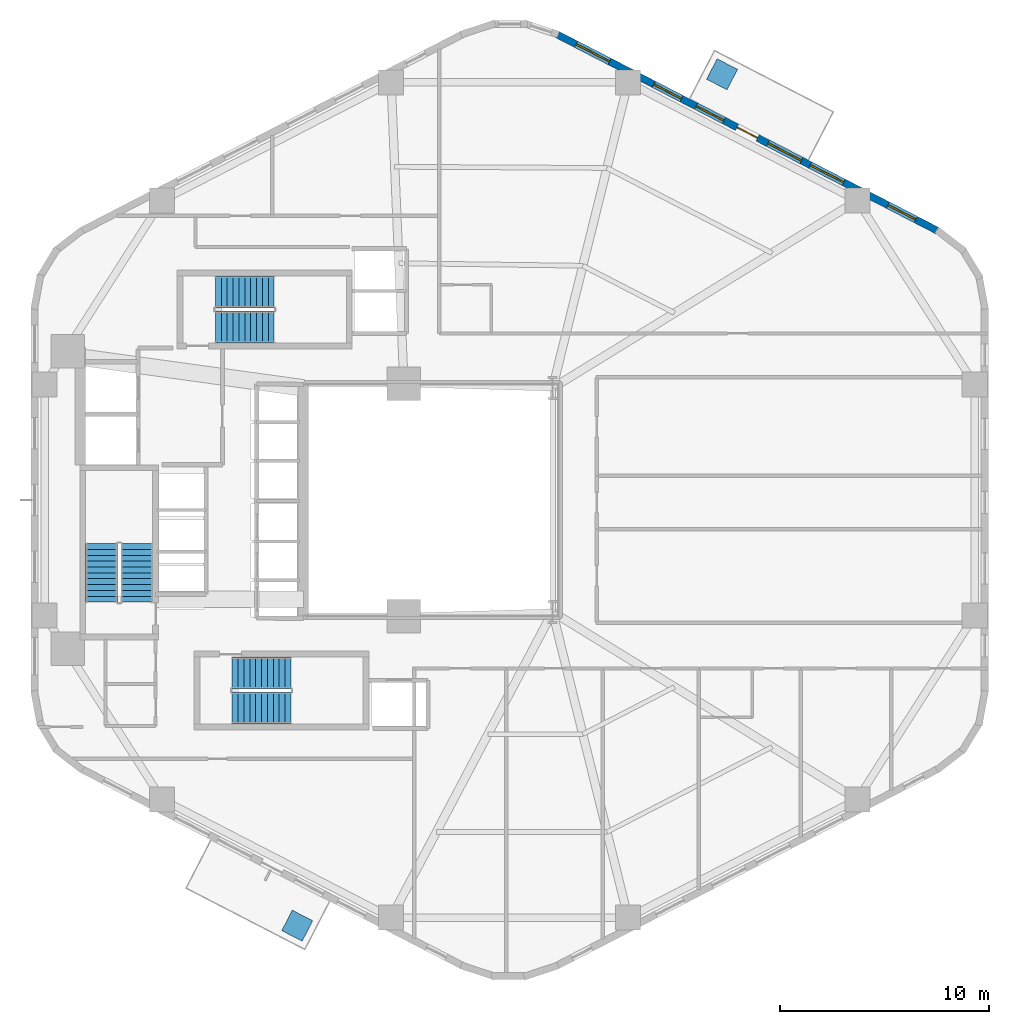
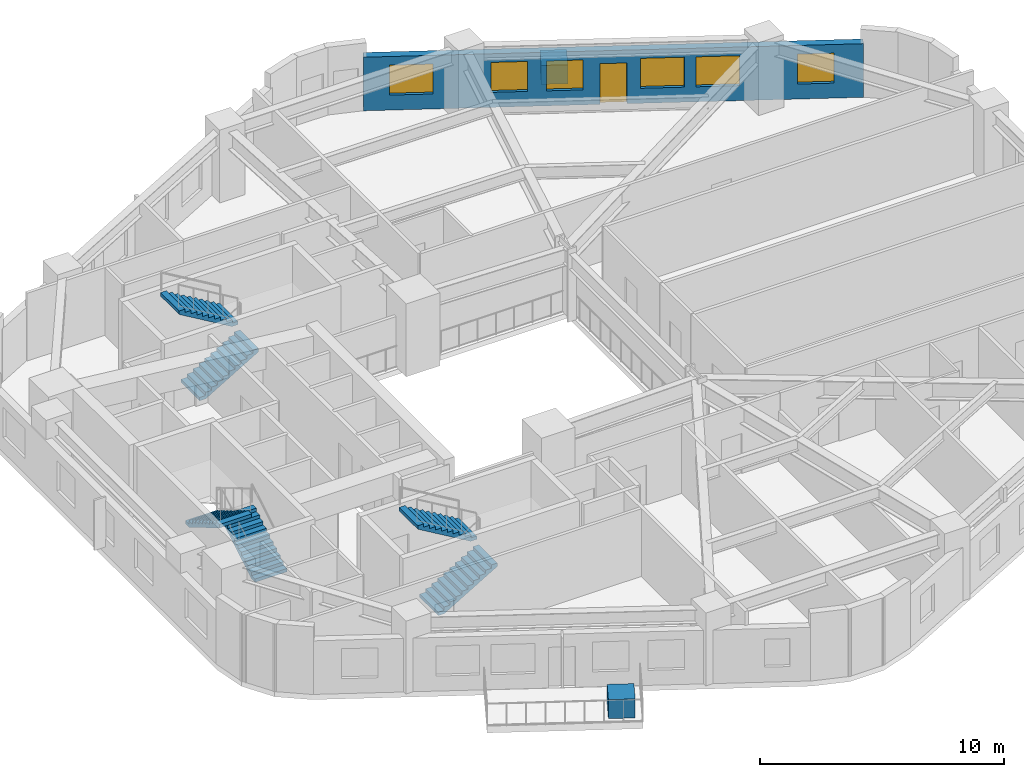
# One storey, part 6 of 8: 6 stair flights, 6 windows, 2 discrete accessories, 1 door, 1 wall, 7 openings, 3 elements without a shape of their own.
"""IFC4 building model written with IfcOpenShell, lengths in metres."""

import ifcopenshell
import ifcopenshell.guid

model = None  # the IFC model being written
_history = None  # IfcOwnerHistory: only IFC2X3 demands one
_inside = {}  # id of a spatial element -> (the spatial element, [elements in it])
_under = {}  # id of a project, library or spatial element -> (it, [spatial elements below it])
_declared = {}  # id of a project -> (the project, [libraries it declares])
_typed = {}  # id of a type object -> (the type object, [elements of that type])
_made_of = {}  # id of a material, layer set ... -> (it, [elements and type objects made of it])


def new_model(schema):
    """Start an empty IFC model of exactly this schema.

    Asked for "IFC4X3", IfcOpenShell would pick the latest addendum, in which some entities
    have other attributes; the version numbers below select the first issue.
    IFC2X3 requires an IfcOwnerHistory on every rooted entity: one is made here for all.
    """
    global model, _history
    if schema == "IFC4X3":
        model = ifcopenshell.file(schema_version=(4, 3, 0, 0))
    else:
        model = ifcopenshell.file(schema=schema)
    _inside.clear()
    _under.clear()
    _declared.clear()
    _typed.clear()
    _made_of.clear()
    _history = None
    if model.schema == "IFC2X3":
        org = make("IfcOrganization", Name="unknown")
        user = make(
            "IfcPersonAndOrganization",
            ThePerson=make("IfcPerson", FamilyName="unknown"),
            TheOrganization=org,
        )
        app = make(
            "IfcApplication",
            ApplicationDeveloper=org,
            Version="unknown",
            ApplicationFullName="unknown",
            ApplicationIdentifier="unknown",
        )
        _history = make(
            "IfcOwnerHistory",
            OwningUser=user,
            OwningApplication=app,
            ChangeAction="ADDED",
            CreationDate=0,
        )
    return model


def make(cls, **values):
    """One entity of the class cls with the attributes given. An attribute that is None is left unset."""
    return model.create_entity(
        cls, **{name: value for name, value in values.items() if value is not None}
    )


def rooted(cls, **values):
    """An entity with a GlobalId (a new one), such as an element, a storey or a relation."""
    return make(cls, GlobalId=ifcopenshell.guid.new(), OwnerHistory=_history, **values)


def si_unit(unit_type, name, prefix=None):
    """IfcSIUnit, for example si_unit("LENGTHUNIT", "METRE", prefix="MILLI")."""
    return make("IfcSIUnit", UnitType=unit_type, Prefix=prefix, Name=name)


def assignment(units):
    """IfcUnitAssignment: the units of a project."""
    return None if units is None else make("IfcUnitAssignment", Units=units)


def point(xyz):
    """IfcCartesianPoint."""
    return None if xyz is None else make("IfcCartesianPoint", Coordinates=xyz)


def direction(xyz):
    """IfcDirection."""
    return None if xyz is None else make("IfcDirection", DirectionRatios=xyz)


def frame(location, z_axis=None, x_axis=None):
    """IfcAxis2Placement3D, a coordinate frame: its origin and axes. An axis left out is left unset."""
    return make(
        "IfcAxis2Placement3D",
        Location=point(location),
        Axis=direction(z_axis),
        RefDirection=direction(x_axis),
    )


def frame_2d(location, x_axis=None):
    """IfcAxis2Placement2D, a coordinate frame in the plane: its origin and x axis."""
    return make(
        "IfcAxis2Placement2D", Location=point(location), RefDirection=direction(x_axis)
    )


def origin():
    """The frame at (0, 0, 0) with its axes left unset."""
    return frame((0.0, 0.0, 0.0))


def origin_2d():
    """The frame at (0, 0) in the plane with its x axis left unset."""
    return frame_2d((0.0, 0.0))


def place(relative_to, where):
    """IfcLocalPlacement: puts the frame where relative to a parent placement (None: the world)."""
    return make(
        "IfcLocalPlacement", PlacementRelTo=relative_to, RelativePlacement=where
    )


def context(
    kind, dimensions, precision=None, world=None, true_north=None, identifier=None
):
    """IfcGeometricRepresentationContext, for example the 3D "Model" context."""
    return make(
        "IfcGeometricRepresentationContext",
        ContextIdentifier=identifier,
        ContextType=kind,
        CoordinateSpaceDimension=dimensions,
        Precision=precision,
        WorldCoordinateSystem=world,
        TrueNorth=true_north,
    )


def subcontext(parent, identifier, kind, view, scale=None):
    """IfcGeometricRepresentationSubContext, for example "Body" below "Model"."""
    return make(
        "IfcGeometricRepresentationSubContext",
        ContextIdentifier=identifier,
        ContextType=kind,
        ParentContext=parent,
        TargetScale=scale,
        TargetView=view,
    )


def project(units=None, contexts=None):
    """IfcProject with its units and contexts."""
    return rooted(
        "IfcProject",
        Name="project",
        RepresentationContexts=contexts,
        UnitsInContext=assignment(units),
    )


def spatial(cls, under=None, at=None, **own):
    """A site, building, storey or space (cls), placed at a placement, below another one or the project."""
    s = rooted(cls, ObjectPlacement=at, **own)
    if under is not None:
        _under.setdefault(under.id(), (under, []))[1].append(s)
    return s


def polyline(points):
    """IfcPolyline through the points."""
    return make("IfcPolyline", Points=[point(p) for p in points])


def profile(cls, at=None, kind="AREA", **sizes):
    """A parametric profile (cls). Its sizes go by their IFC names, for example OverallWidth=200.0."""
    return make(cls, ProfileType=kind, Position=at, **sizes)


def rectangle(**sizes):
    """IfcRectangleProfileDef."""
    return profile("IfcRectangleProfileDef", **sizes)


def outline(outer, holes=None, kind="AREA"):
    """IfcArbitraryClosedProfileDef: a profile drawn as a closed curve; with holes, ...WithVoids."""
    if holes is None:
        return make("IfcArbitraryClosedProfileDef", ProfileType=kind, OuterCurve=outer)
    return make(
        "IfcArbitraryProfileDefWithVoids",
        ProfileType=kind,
        OuterCurve=outer,
        InnerCurves=holes,
    )


def extrude(swept, where, along, depth):
    """IfcExtrudedAreaSolid: the profile swept, set in the frame where, extruded along a direction by depth."""
    return make(
        "IfcExtrudedAreaSolid",
        SweptArea=swept,
        Position=where,
        ExtrudedDirection=direction(along),
        Depth=depth,
    )


def shape(context_of_items, identifier, shape_type, items):
    """IfcShapeRepresentation: the items that make up one representation, for example the "Body"."""
    return make(
        "IfcShapeRepresentation",
        ContextOfItems=context_of_items,
        RepresentationIdentifier=identifier,
        RepresentationType=shape_type,
        Items=items,
    )


def material(Name=None, Category=None):
    """IfcMaterial."""
    return make("IfcMaterial", Name=Name, Category=Category)


def layer(
    of_material, thickness, ventilated=None, Name=None, Category=None, Priority=None
):
    """IfcMaterialLayer: one layer of a wall or slab, of a material (None: an air gap)."""
    return make(
        "IfcMaterialLayer",
        Material=of_material,
        LayerThickness=thickness,
        IsVentilated=ventilated,
        Name=Name,
        Category=Category,
        Priority=Priority,
    )


def layer_set(layers, Name=None):
    """IfcMaterialLayerSet."""
    return make("IfcMaterialLayerSet", MaterialLayers=layers, LayerSetName=Name)


def made_of(thing, what):
    """Note that an element or type object is made of a material, layer set ...; save() writes the relation."""
    if what is not None:
        _made_of.setdefault(what.id(), (what, []))[1].append(thing)
    return thing


def type_object(cls, material=None, **own):
    """A type object (cls), such as IfcWallType, which elements share."""
    return made_of(rooted(cls, **own), material)


def element(
    cls,
    number,
    at=None,
    inside=None,
    cuts=None,
    type_object=None,
    material=None,
    context=None,
    identifier="Body",
    shape_type=None,
    held_by="IfcProductDefinitionShape",
    body=None,
    shapes=None,
    **own,
):
    """One element of the class cls, such as IfcWall. Its Tag is "e" and its number.

    at: its placement. inside: the storey or other place that contains it. cuts: it is an
    opening in that element (IfcRelVoidsElement). A single representation is given by context,
    identifier, shape_type and body (its items); several are given by shapes. held_by: the class
    of the entity that holds the representations. save() writes the other relations.
    """
    e = rooted(cls, Tag="e%d" % number, ObjectPlacement=at, **own)
    if body is not None:
        shapes = [shape(context, identifier, shape_type, body)]
    if shapes is not None:
        e.Representation = make(held_by, Representations=shapes)
    if inside is not None:
        _inside.setdefault(inside.id(), (inside, []))[1].append(e)
    if cuts is not None:
        rooted(
            "IfcRelVoidsElement", RelatingBuildingElement=cuts, RelatedOpeningElement=e
        )
    if type_object is not None:
        _typed.setdefault(type_object.id(), (type_object, []))[1].append(e)
    return made_of(e, material)


def fill(opening, filler):
    """IfcRelFillsElement: the door or window that sits in an opening."""
    return rooted(
        "IfcRelFillsElement",
        RelatingOpeningElement=opening,
        RelatedBuildingElement=filler,
    )


def aggregate(whole, parts):
    """IfcRelAggregates: a whole, such as a stair, and the parts it consists of."""
    return rooted("IfcRelAggregates", RelatingObject=whole, RelatedObjects=parts)


def save(model, path):
    """Write the relations noted so far, then the file.

    IfcRelAggregates (storeys below a building ...), IfcRelContainedInSpatialStructure (elements
    in a storey), IfcRelDefinesByType, IfcRelAssociatesMaterial and IfcRelDeclares: one each for
    every whole, place, type object, material and project.
    """
    for whole, parts in _under.values():
        aggregate(whole, parts)
    for where, things in _inside.values():
        rooted(
            "IfcRelContainedInSpatialStructure",
            RelatedElements=things,
            RelatingStructure=where,
        )
    for kind, things in _typed.values():
        rooted("IfcRelDefinesByType", RelatedObjects=things, RelatingType=kind)
    for what, things in _made_of.values():
        rooted("IfcRelAssociatesMaterial", RelatedObjects=things, RelatingMaterial=what)
    for by, libraries in _declared.values():
        rooted("IfcRelDeclares", RelatingContext=by, RelatedDefinitions=libraries)
    model.write(path)


model = new_model("IFC4")

# Units and contexts
model_context = context("Model", 3, precision=1e-05, world=origin(), true_north=direction((0.0, 1.0)))
body_context = subcontext(model_context, "Body", "Model", "MODEL_VIEW")
ifc_project = project(units=[si_unit("LENGTHUNIT", "METRE"), si_unit("AREAUNIT", "SQUARE_METRE"), si_unit("VOLUMEUNIT", "CUBIC_METRE"), si_unit("PLANEANGLEUNIT", "RADIAN"), si_unit("MASSUNIT", "GRAM", prefix="KILO"), si_unit("THERMODYNAMICTEMPERATUREUNIT", "KELVIN"), si_unit("POWERUNIT", "WATT")], contexts=[model_context])

# Site, building, storey
site_placement = place(None, origin())
site = spatial("IfcSite", under=ifc_project, at=site_placement, CompositionType="ELEMENT")
building_placement = place(site_placement, origin())
building = spatial("IfcBuilding", under=site, at=building_placement, Name="Skarre Station Tower", CompositionType="ELEMENT")
storey_placement = place(building_placement, frame((0.0, 0.0, 81.75)))
storey = spatial("IfcBuildingStorey", under=building, at=storey_placement, Name="L21", CompositionType="ELEMENT", Elevation=81.75)

# Wall, openings, windows, door
ifc_material_1 = material(Name="Precast concrete C45/55", Category="concrete")
ifc_layer = layer(ifc_material_1, 0.340087890625, Name="Precast concrete C45/55")
ifc_layer_set = layer_set([ifc_layer], Name="Precast concrete C45/55")
wall_type = type_object("IfcWallType", Name="Nordic Honed Precast Facet Wall 340", PredefinedType="STANDARD", material=ifc_layer_set)
wall_placement = place(storey_placement, frame((39.631103515625, 46.257080078125, 0.0), z_axis=(0.0, 0.0, 1.0), x_axis=(0.888634413993, -0.458616264721, 0.0)))
wall = element("IfcWall", 1, at=wall_placement, inside=storey, type_object=wall_type, Name="L21 Facet 0 Nordic Precast Masonry Wall", PredefinedType="STANDARD", context=body_context, shape_type="SweptSolid", body=[
    extrude(rectangle(XDim=20.53125, YDim=0.340087890625, at=frame_2d((10.265625, 0.0))), origin(), (0.0, 0.0, 1.0), 2.68408203125),
])
opening_1_placement = place(wall_placement, frame((9.716064453125, 0.0, 0.0)))
opening_1 = element("IfcOpeningElement", 2, at=opening_1_placement, cuts=wall, Name="Opening DR-BAL110", PredefinedType="OPENING", context=body_context, shape_type="SweptSolid", body=[
    extrude(rectangle(XDim=1.10009765625, YDim=2.0400390625, at=frame_2d((0.550048828125, 1.02001953125))), frame((0.0, 0.179931640625, 0.0), z_axis=(0.0, -1.0, 0.0), x_axis=(1.0, 0.0, 0.0)), (0.0, 0.0, 1.0), 0.360107421875),
])
opening_2_placement = place(wall_placement, frame((1.05810546875, 0.0, 0.75)))
opening_2 = element("IfcOpeningElement", 3, at=opening_2_placement, cuts=wall, Name="Opening WN-Z1A", PredefinedType="OPENING", context=body_context, shape_type="SweptSolid", body=[
    extrude(rectangle(XDim=1.800048828125, YDim=1.5, at=frame_2d((0.89990234375, 0.75))), frame((0.0, 0.179931640625, 0.0), z_axis=(0.0, -1.0, 0.0), x_axis=(1.0, 0.0, 0.0)), (0.0, 0.0, 1.0), 0.360107421875),
])
opening_3_placement = place(wall_placement, frame((5.23388671875, 0.0, 0.75)))
opening_3 = element("IfcOpeningElement", 4, at=opening_3_placement, cuts=wall, Name="Opening WN-Z1B", PredefinedType="OPENING", context=body_context, shape_type="SweptSolid", body=[
    extrude(rectangle(XDim=1.5, YDim=1.5, at=frame_2d((0.75, 0.75))), frame((0.0, 0.179931640625, 0.0), z_axis=(0.0, -1.0, 0.0), x_axis=(1.0, 0.0, 0.0)), (0.0, 0.0, 1.0), 0.360107421875),
])
opening_4_placement = place(wall_placement, frame((7.509033203125, 0.0, 0.75)))
opening_4 = element("IfcOpeningElement", 5, at=opening_4_placement, cuts=wall, Name="Opening WN-Z1B", PredefinedType="OPENING", context=body_context, shape_type="SweptSolid", body=[
    extrude(rectangle(XDim=1.5, YDim=1.5, at=frame_2d((0.75, 0.75))), frame((0.0, 0.179931640625, 0.0), z_axis=(0.0, -1.0, 0.0), x_axis=(1.0, 0.0, 0.0)), (0.0, 0.0, 1.0), 0.360107421875),
])
opening_5_placement = place(wall_placement, frame((11.373046875, 0.0, 0.75)))
opening_5 = element("IfcOpeningElement", 6, at=opening_5_placement, cuts=wall, Name="Opening WN-Z1A", PredefinedType="OPENING", context=body_context, shape_type="SweptSolid", body=[
    extrude(rectangle(XDim=1.800048828125, YDim=1.5, at=frame_2d((0.89990234375, 0.75))), frame((0.0, 0.179931640625, 0.0), z_axis=(0.0, -1.0, 0.0), x_axis=(1.0, 0.0, 0.0)), (0.0, 0.0, 1.0), 0.360107421875),
])
opening_6_placement = place(wall_placement, frame((13.64794921875, 0.0, 0.75)))
opening_6 = element("IfcOpeningElement", 7, at=opening_6_placement, cuts=wall, Name="Opening WN-Z1A", PredefinedType="OPENING", context=body_context, shape_type="SweptSolid", body=[
    extrude(rectangle(XDim=1.800048828125, YDim=1.5, at=frame_2d((0.89990234375, 0.75))), frame((0.0, 0.179931640625, 0.0), z_axis=(0.0, -1.0, 0.0), x_axis=(1.0, 0.0, 0.0)), (0.0, 0.0, 1.0), 0.360107421875),
])
opening_7_placement = place(wall_placement, frame((17.822998046875, 0.0, 0.75)))
opening_7 = element("IfcOpeningElement", 8, at=opening_7_placement, cuts=wall, Name="Opening WN-Z1B", PredefinedType="OPENING", context=body_context, shape_type="SweptSolid", body=[
    extrude(rectangle(XDim=1.5, YDim=1.5, at=frame_2d((0.75, 0.75))), frame((0.0, 0.179931640625, 0.0), z_axis=(0.0, -1.0, 0.0), x_axis=(1.0, 0.0, 0.0)), (0.0, 0.0, 1.0), 0.360107421875),
])
ifc_material_2 = material(Name="Low-Iron Triple Glazing with Bronze Anodized Frame", Category="glass")
window_type_1 = type_object("IfcWindowType", Name="Nordic Punched Triple-Glazed Window 1500x1500", PartitioningType="SINGLE_PANEL", PredefinedType="WINDOW", material=ifc_material_2)
window_1_placement = place(opening_3_placement, origin())
window_1 = element("IfcWindow", 9, at=window_1_placement, inside=storey, type_object=window_type_1, Name="L21 Facade Window WL-FAC-L21-F0-2", OverallHeight=1.5, OverallWidth=1.5, PartitioningType="SINGLE_PANEL", PredefinedType="WINDOW", context=body_context, shape_type="SweptSolid", body=[
    extrude(rectangle(XDim=1.5, YDim=1.5, at=frame_2d((0.75, 0.75))), frame((0.0, 0.030029296875, 0.0), z_axis=(0.0, -1.0, 0.0), x_axis=(1.0, 0.0, 0.0)), (0.0, 0.0, 1.0), 0.06005859375),
])
fill(opening_3, window_1)
window_2_placement = place(opening_4_placement, origin())
window_2 = element("IfcWindow", 10, at=window_2_placement, inside=storey, type_object=window_type_1, Name="L21 Facade Window WL-FAC-L21-F0-3", OverallHeight=1.5, OverallWidth=1.5, PartitioningType="SINGLE_PANEL", PredefinedType="WINDOW", context=body_context, shape_type="SweptSolid", body=[
    extrude(rectangle(XDim=1.5, YDim=1.5, at=frame_2d((0.75, 0.75))), frame((0.0, 0.030029296875, 0.0), z_axis=(0.0, -1.0, 0.0), x_axis=(1.0, 0.0, 0.0)), (0.0, 0.0, 1.0), 0.06005859375),
])
fill(opening_4, window_2)
window_3_placement = place(opening_7_placement, origin())
window_3 = element("IfcWindow", 11, at=window_3_placement, inside=storey, type_object=window_type_1, Name="L21 Facade Window WL-FAC-L21-F0-6", OverallHeight=1.5, OverallWidth=1.5, PartitioningType="SINGLE_PANEL", PredefinedType="WINDOW", context=body_context, shape_type="SweptSolid", body=[
    extrude(rectangle(XDim=1.5, YDim=1.5, at=frame_2d((0.75, 0.75))), frame((0.0, 0.030029296875, 0.0), z_axis=(0.0, -1.0, 0.0), x_axis=(1.0, 0.0, 0.0)), (0.0, 0.0, 1.0), 0.06005859375),
])
fill(opening_7, window_3)
window_type_2 = type_object("IfcWindowType", Name="Nordic Punched Triple-Glazed Window 1800x1500", PartitioningType="SINGLE_PANEL", PredefinedType="WINDOW", material=ifc_material_2)
window_4_placement = place(opening_2_placement, origin())
window_4 = element("IfcWindow", 12, at=window_4_placement, inside=storey, type_object=window_type_2, Name="L21 Facade Window WL-FAC-L21-F0-1", OverallHeight=1.5, OverallWidth=1.800048828125, PartitioningType="SINGLE_PANEL", PredefinedType="WINDOW", context=body_context, shape_type="SweptSolid", body=[
    extrude(rectangle(XDim=1.800048828125, YDim=1.5, at=frame_2d((0.89990234375, 0.75))), frame((0.0, 0.030029296875, 0.0), z_axis=(0.0, -1.0, 0.0), x_axis=(1.0, 0.0, 0.0)), (0.0, 0.0, 1.0), 0.06005859375),
])
fill(opening_2, window_4)
window_5_placement = place(opening_5_placement, origin())
window_5 = element("IfcWindow", 13, at=window_5_placement, inside=storey, type_object=window_type_2, Name="L21 Facade Window WL-FAC-L21-F0-4", OverallHeight=1.5, OverallWidth=1.800048828125, PartitioningType="SINGLE_PANEL", PredefinedType="WINDOW", context=body_context, shape_type="SweptSolid", body=[
    extrude(rectangle(XDim=1.800048828125, YDim=1.5, at=frame_2d((0.89990234375, 0.75))), frame((0.0, 0.030029296875, 0.0), z_axis=(0.0, -1.0, 0.0), x_axis=(1.0, 0.0, 0.0)), (0.0, 0.0, 1.0), 0.06005859375),
])
fill(opening_5, window_5)
window_6_placement = place(opening_6_placement, origin())
window_6 = element("IfcWindow", 14, at=window_6_placement, inside=storey, type_object=window_type_2, Name="L21 Facade Window WL-FAC-L21-F0-5", OverallHeight=1.5, OverallWidth=1.800048828125, PartitioningType="SINGLE_PANEL", PredefinedType="WINDOW", context=body_context, shape_type="SweptSolid", body=[
    extrude(rectangle(XDim=1.800048828125, YDim=1.5, at=frame_2d((0.89990234375, 0.75))), frame((0.0, 0.030029296875, 0.0), z_axis=(0.0, -1.0, 0.0), x_axis=(1.0, 0.0, 0.0)), (0.0, 0.0, 1.0), 0.06005859375),
])
fill(opening_6, window_6)
ifc_material_3 = material(Name="Thermally Broken Aluminium & Triple Glazing", Category="aluminium")
door_type = type_object("IfcDoorType", Name="Terrace & Tree-Balcony Glazed Door 1100x2200", OperationType="SINGLE_SWING_LEFT", PredefinedType="DOOR", material=ifc_material_3)
door_placement = place(opening_1_placement, origin())
door = element("IfcDoor", 15, at=door_placement, inside=storey, type_object=door_type, Name="L21 TB-L21-F0 Tree-Balcony Glazed Door", OperationType="SINGLE_SWING_LEFT", OverallHeight=2.0400390625, OverallWidth=1.10009765625, PredefinedType="DOOR", context=body_context, shape_type="SweptSolid", body=[
    extrude(rectangle(XDim=1.10009765625, YDim=2.0400390625, at=frame_2d((0.550048828125, 1.02001953125))), frame((0.0, 0.02490234375, 0.0), z_axis=(0.0, -1.0, 0.0), x_axis=(1.0, 0.0, 0.0)), (0.0, 0.0, 1.0), 0.050048828125),
])
fill(opening_1, door)

# Stair, stair flights
ifc_material_4 = material(Name="Concrete C40/50", Category="concrete")
stair_type_1 = type_object("IfcStairType", Name="Reinforced Concrete Exit Stair ST-1", PredefinedType="HALF_TURN_STAIR", material=ifc_material_4)
stair_1_placement = place(storey_placement, origin())
stair_1 = element("IfcStair", 16, at=stair_1_placement, inside=storey, type_object=stair_type_1, Name="L21 Core Exit Stair ST-1", PredefinedType="HALF_TURN_STAIR")
stair_flight_type_1 = type_object("IfcStairFlightType", Name="Reinforced Concrete Stair Flight ST-1", PredefinedType="STRAIGHT", material=ifc_material_4)
stair_flight_1_placement = place(storey_placement, frame((19.590087890625, 19.1201171875, 0.0), z_axis=(0.0, 0.0, 1.0), x_axis=(0.0, 1.0, 0.0)))
stair_flight_1 = element("IfcStairFlight", 17, at=stair_flight_1_placement, type_object=stair_flight_type_1, Name="ST-1 flight 1", NumberOfRisers=11, NumberOfTreads=10, PredefinedType="STRAIGHT", RiserHeight=0.165909091, TreadLength=0.28, context=body_context, shape_type="SweptSolid", body=[
    extrude(outline(polyline([(0.0, 0.0), (0.0, 0.166015625), (0.280029296875, 0.166015625), (0.280029296875, 0.331787109375), (0.56005859375, 0.331787109375), (0.56005859375, 0.497802734375), (0.840087890625, 0.497802734375), (0.840087890625, 0.66357421875), (1.1201171875, 0.66357421875), (1.1201171875, 0.82958984375), (1.39990234375, 0.82958984375), (1.39990234375, 0.995361328125), (1.679931640625, 0.995361328125), (1.679931640625, 1.161376953125), (1.9599609375, 1.161376953125), (1.9599609375, 1.327392578125), (2.239990234375, 1.327392578125), (2.239990234375, 1.4931640625), (2.52001953125, 1.4931640625), (2.52001953125, 1.6591796875), (2.800048828125, 1.6591796875), (2.800048828125, 1.824951171875), (2.800048828125, 1.48486328125), (0.2939453125, 0.0), (0.0, 0.0)])), frame((0.0, 0.760009765625, 0.0), z_axis=(0.0, -1.0, 0.0), x_axis=(1.0, 0.0, 0.0)), (0.0, 0.0, 1.0), 1.52001953125),
])
stair_flight_2_placement = place(storey_placement, frame((17.909912109375, 21.919921875, 1.824951171875), z_axis=(0.0, 0.0, 1.0), x_axis=(0.0, -1.0, 0.0)))
stair_flight_2 = element("IfcStairFlight", 18, at=stair_flight_2_placement, type_object=stair_flight_type_1, Name="ST-1 flight 2", NumberOfRisers=11, NumberOfTreads=10, PredefinedType="STRAIGHT", RiserHeight=0.165909091, TreadLength=0.28, context=body_context, shape_type="SweptSolid", body=[
    extrude(outline(polyline([(0.0, 0.0), (0.0, 0.166015625), (0.280029296875, 0.166015625), (0.280029296875, 0.331787109375), (0.56005859375, 0.331787109375), (0.56005859375, 0.497802734375), (0.840087890625, 0.497802734375), (0.840087890625, 0.66357421875), (1.1201171875, 0.66357421875), (1.1201171875, 0.82958984375), (1.39990234375, 0.82958984375), (1.39990234375, 0.995361328125), (1.679931640625, 0.995361328125), (1.679931640625, 1.161376953125), (1.9599609375, 1.161376953125), (1.9599609375, 1.327392578125), (2.239990234375, 1.327392578125), (2.239990234375, 1.4931640625), (2.52001953125, 1.4931640625), (2.52001953125, 1.6591796875), (2.800048828125, 1.6591796875), (2.800048828125, 1.824951171875), (2.800048828125, 1.48486328125), (0.2939453125, 0.0), (0.0, 0.0)])), frame((0.0, 0.760009765625, 0.0), z_axis=(0.0, -1.0, 0.0), x_axis=(1.0, 0.0, 0.0)), (0.0, 0.0, 1.0), 1.52001953125),
])
aggregate(stair_1, [stair_flight_1, stair_flight_2])

stair_type_2 = type_object("IfcStairType", Name="Reinforced Concrete Exit Stair ST-2", PredefinedType="HALF_TURN_STAIR", material=ifc_material_4)
stair_2_placement = place(storey_placement, origin())
stair_2 = element("IfcStair", 19, at=stair_2_placement, inside=storey, type_object=stair_type_2, Name="L21 Core Exit Stair ST-2", PredefinedType="HALF_TURN_STAIR")
stair_flight_type_2 = type_object("IfcStairFlightType", Name="Reinforced Concrete Stair Flight ST-2", PredefinedType="STRAIGHT", material=ifc_material_4)
stair_flight_3_placement = place(storey_placement, frame((24.14990234375, 14.06005859375, 0.0), z_axis=(0.0, 0.0, 1.0), x_axis=(1.0, 0.0, 0.0)))
stair_flight_3 = element("IfcStairFlight", 20, at=stair_flight_3_placement, type_object=stair_flight_type_2, Name="ST-2 flight 1", NumberOfRisers=11, NumberOfTreads=10, PredefinedType="STRAIGHT", RiserHeight=0.165909091, TreadLength=0.28, context=body_context, shape_type="SweptSolid", body=[
    extrude(outline(polyline([(0.0, 0.0), (0.0, 0.166015625), (0.280029296875, 0.166015625), (0.280029296875, 0.331787109375), (0.56005859375, 0.331787109375), (0.56005859375, 0.497802734375), (0.840087890625, 0.497802734375), (0.840087890625, 0.66357421875), (1.1201171875, 0.66357421875), (1.1201171875, 0.82958984375), (1.39990234375, 0.82958984375), (1.39990234375, 0.995361328125), (1.679931640625, 0.995361328125), (1.679931640625, 1.161376953125), (1.9599609375, 1.161376953125), (1.9599609375, 1.327392578125), (2.239990234375, 1.327392578125), (2.239990234375, 1.4931640625), (2.52001953125, 1.4931640625), (2.52001953125, 1.6591796875), (2.800048828125, 1.6591796875), (2.800048828125, 1.824951171875), (2.800048828125, 1.48486328125), (0.2939453125, 0.0), (0.0, 0.0)])), frame((0.0, 0.760009765625, 0.0), z_axis=(0.0, -1.0, 0.0), x_axis=(1.0, 0.0, 0.0)), (0.0, 0.0, 1.0), 1.52001953125),
])
stair_flight_4_placement = place(storey_placement, frame((26.949951171875, 15.739990234375, 1.824951171875), z_axis=(0.0, 0.0, 1.0), x_axis=(-1.0, 0.0, 0.0)))
stair_flight_4 = element("IfcStairFlight", 21, at=stair_flight_4_placement, type_object=stair_flight_type_2, Name="ST-2 flight 2", NumberOfRisers=11, NumberOfTreads=10, PredefinedType="STRAIGHT", RiserHeight=0.165909091, TreadLength=0.28, context=body_context, shape_type="SweptSolid", body=[
    extrude(outline(polyline([(0.0, 0.0), (0.0, 0.166015625), (0.280029296875, 0.166015625), (0.280029296875, 0.331787109375), (0.56005859375, 0.331787109375), (0.56005859375, 0.497802734375), (0.840087890625, 0.497802734375), (0.840087890625, 0.66357421875), (1.1201171875, 0.66357421875), (1.1201171875, 0.82958984375), (1.39990234375, 0.82958984375), (1.39990234375, 0.995361328125), (1.679931640625, 0.995361328125), (1.679931640625, 1.161376953125), (1.9599609375, 1.161376953125), (1.9599609375, 1.327392578125), (2.239990234375, 1.327392578125), (2.239990234375, 1.4931640625), (2.52001953125, 1.4931640625), (2.52001953125, 1.6591796875), (2.800048828125, 1.6591796875), (2.800048828125, 1.824951171875), (2.800048828125, 1.48486328125), (0.2939453125, 0.0), (0.0, 0.0)])), frame((0.0, 0.760009765625, 0.0), z_axis=(0.0, -1.0, 0.0), x_axis=(1.0, 0.0, 0.0)), (0.0, 0.0, 1.0), 1.52001953125),
])
aggregate(stair_2, [stair_flight_3, stair_flight_4])

stair_type_3 = type_object("IfcStairType", Name="Reinforced Concrete Exit Stair ST-3", PredefinedType="HALF_TURN_STAIR", material=ifc_material_4)
stair_3_placement = place(storey_placement, origin())
stair_3 = element("IfcStair", 22, at=stair_3_placement, inside=storey, type_object=stair_type_3, Name="L21 Core Exit Stair ST-3", PredefinedType="HALF_TURN_STAIR")
stair_flight_type_3 = type_object("IfcStairFlightType", Name="Reinforced Concrete Stair Flight ST-3", PredefinedType="STRAIGHT", material=ifc_material_4)
stair_flight_5_placement = place(storey_placement, frame((23.35009765625, 32.260009765625, 0.0), z_axis=(0.0, 0.0, 1.0), x_axis=(1.0, 0.0, 0.0)))
stair_flight_5 = element("IfcStairFlight", 23, at=stair_flight_5_placement, type_object=stair_flight_type_3, Name="ST-3 flight 1", NumberOfRisers=11, NumberOfTreads=10, PredefinedType="STRAIGHT", RiserHeight=0.165909091, TreadLength=0.28, context=body_context, shape_type="SweptSolid", body=[
    extrude(outline(polyline([(0.0, 0.0), (0.0, 0.166015625), (0.280029296875, 0.166015625), (0.280029296875, 0.331787109375), (0.56005859375, 0.331787109375), (0.56005859375, 0.497802734375), (0.840087890625, 0.497802734375), (0.840087890625, 0.66357421875), (1.1201171875, 0.66357421875), (1.1201171875, 0.82958984375), (1.39990234375, 0.82958984375), (1.39990234375, 0.995361328125), (1.679931640625, 0.995361328125), (1.679931640625, 1.161376953125), (1.9599609375, 1.161376953125), (1.9599609375, 1.327392578125), (2.239990234375, 1.327392578125), (2.239990234375, 1.4931640625), (2.52001953125, 1.4931640625), (2.52001953125, 1.6591796875), (2.800048828125, 1.6591796875), (2.800048828125, 1.824951171875), (2.800048828125, 1.48486328125), (0.2939453125, 0.0), (0.0, 0.0)])), frame((0.0, 0.760009765625, 0.0), z_axis=(0.0, -1.0, 0.0), x_axis=(1.0, 0.0, 0.0)), (0.0, 0.0, 1.0), 1.52001953125),
])
stair_flight_6_placement = place(storey_placement, frame((26.14990234375, 33.93994140625, 1.824951171875), z_axis=(0.0, 0.0, 1.0), x_axis=(-1.0, 0.0, 0.0)))
stair_flight_6 = element("IfcStairFlight", 24, at=stair_flight_6_placement, type_object=stair_flight_type_3, Name="ST-3 flight 2", NumberOfRisers=11, NumberOfTreads=10, PredefinedType="STRAIGHT", RiserHeight=0.165909091, TreadLength=0.28, context=body_context, shape_type="SweptSolid", body=[
    extrude(outline(polyline([(0.0, 0.0), (0.0, 0.166015625), (0.280029296875, 0.166015625), (0.280029296875, 0.331787109375), (0.56005859375, 0.331787109375), (0.56005859375, 0.497802734375), (0.840087890625, 0.497802734375), (0.840087890625, 0.66357421875), (1.1201171875, 0.66357421875), (1.1201171875, 0.82958984375), (1.39990234375, 0.82958984375), (1.39990234375, 0.995361328125), (1.679931640625, 0.995361328125), (1.679931640625, 1.161376953125), (1.9599609375, 1.161376953125), (1.9599609375, 1.327392578125), (2.239990234375, 1.327392578125), (2.239990234375, 1.4931640625), (2.52001953125, 1.4931640625), (2.52001953125, 1.6591796875), (2.800048828125, 1.6591796875), (2.800048828125, 1.824951171875), (2.800048828125, 1.48486328125), (0.2939453125, 0.0), (0.0, 0.0)])), frame((0.0, 0.760009765625, 0.0), z_axis=(0.0, -1.0, 0.0), x_axis=(1.0, 0.0, 0.0)), (0.0, 0.0, 1.0), 1.52001953125),
])
aggregate(stair_3, [stair_flight_5, stair_flight_6])

# Discrete accessories
discrete_accessory_type = type_object("IfcDiscreteAccessoryType", Name="Insulated Precast Tree Planter Trough 1100x1100x950", PredefinedType="USERDEFINED", material=ifc_material_1)
for number, where, z_axis, x_axis, name in (
    (25, (27.25390625, 3.6669921875, 0.0), (0.0, 0.0, 1.0), (-0.458618535612, -0.888633242003, 0.0), "L21 TB-L21-F3 Insulated Precast Tree Planter Trough"),
    (26, (47.5458984375, 44.3330078125, 0.0), (0.0, 0.0, 1.0), (0.458618535612, 0.888633242003, 0.0), "L21 TB-L21-F0 Insulated Precast Tree Planter Trough"),
):
    element("IfcDiscreteAccessory", number, at=place(storey_placement, frame(where, z_axis=z_axis, x_axis=x_axis)), inside=storey, type_object=discrete_accessory_type, Name=name, ObjectType="PLANTER", PredefinedType="USERDEFINED", context=body_context, shape_type="SweptSolid", body=[
        extrude(rectangle(XDim=1.10009765625, YDim=1.10009765625, at=origin_2d()), origin(), (0.0, 0.0, 1.0), 0.949951171875),
    ])

save(model, "model.ifc")
